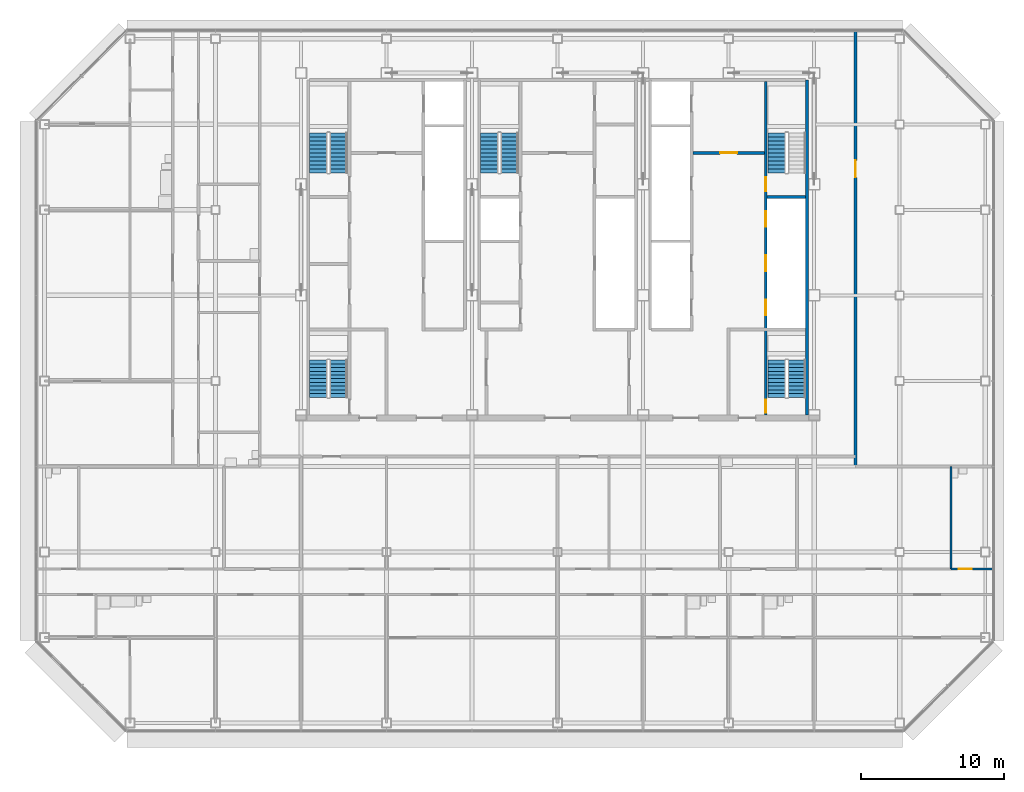
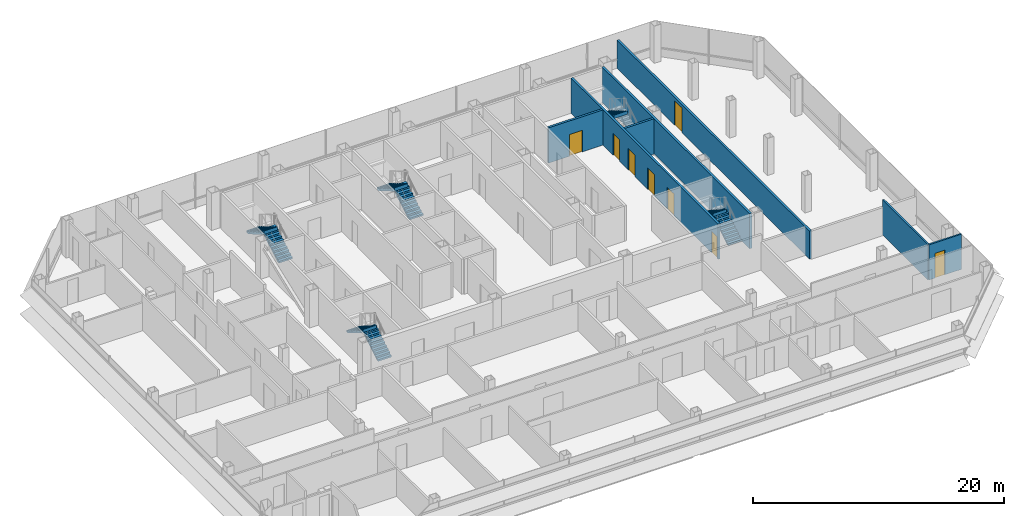
# One storey, part 24 of 27: 9 stair flights, 8 doors, 7 walls, 8 openings, 5 elements without a shape of their own.
"""IFC4 building model written with IfcOpenShell, lengths in metres."""

import ifcopenshell
import ifcopenshell.guid

model = None  # the IFC model being written
_history = None  # IfcOwnerHistory: only IFC2X3 demands one
_inside = {}  # id of a spatial element -> (the spatial element, [elements in it])
_under = {}  # id of a project, library or spatial element -> (it, [spatial elements below it])
_declared = {}  # id of a project -> (the project, [libraries it declares])
_typed = {}  # id of a type object -> (the type object, [elements of that type])
_made_of = {}  # id of a material, layer set ... -> (it, [elements and type objects made of it])


def new_model(schema):
    """Start an empty IFC model of exactly this schema.

    Asked for "IFC4X3", IfcOpenShell would pick the latest addendum, in which some entities
    have other attributes; the version numbers below select the first issue.
    IFC2X3 requires an IfcOwnerHistory on every rooted entity: one is made here for all.
    """
    global model, _history
    if schema == "IFC4X3":
        model = ifcopenshell.file(schema_version=(4, 3, 0, 0))
    else:
        model = ifcopenshell.file(schema=schema)
    _inside.clear()
    _under.clear()
    _declared.clear()
    _typed.clear()
    _made_of.clear()
    _history = None
    if model.schema == "IFC2X3":
        org = make("IfcOrganization", Name="unknown")
        user = make(
            "IfcPersonAndOrganization",
            ThePerson=make("IfcPerson", FamilyName="unknown"),
            TheOrganization=org,
        )
        app = make(
            "IfcApplication",
            ApplicationDeveloper=org,
            Version="unknown",
            ApplicationFullName="unknown",
            ApplicationIdentifier="unknown",
        )
        _history = make(
            "IfcOwnerHistory",
            OwningUser=user,
            OwningApplication=app,
            ChangeAction="ADDED",
            CreationDate=0,
        )
    return model


def make(cls, **values):
    """One entity of the class cls with the attributes given. An attribute that is None is left unset."""
    return model.create_entity(
        cls, **{name: value for name, value in values.items() if value is not None}
    )


def rooted(cls, **values):
    """An entity with a GlobalId (a new one), such as an element, a storey or a relation."""
    return make(cls, GlobalId=ifcopenshell.guid.new(), OwnerHistory=_history, **values)


def si_unit(unit_type, name, prefix=None):
    """IfcSIUnit, for example si_unit("LENGTHUNIT", "METRE", prefix="MILLI")."""
    return make("IfcSIUnit", UnitType=unit_type, Prefix=prefix, Name=name)


def assignment(units):
    """IfcUnitAssignment: the units of a project."""
    return None if units is None else make("IfcUnitAssignment", Units=units)


def point(xyz):
    """IfcCartesianPoint."""
    return None if xyz is None else make("IfcCartesianPoint", Coordinates=xyz)


def direction(xyz):
    """IfcDirection."""
    return None if xyz is None else make("IfcDirection", DirectionRatios=xyz)


def frame(location, z_axis=None, x_axis=None):
    """IfcAxis2Placement3D, a coordinate frame: its origin and axes. An axis left out is left unset."""
    return make(
        "IfcAxis2Placement3D",
        Location=point(location),
        Axis=direction(z_axis),
        RefDirection=direction(x_axis),
    )


def frame_2d(location, x_axis=None):
    """IfcAxis2Placement2D, a coordinate frame in the plane: its origin and x axis."""
    return make(
        "IfcAxis2Placement2D", Location=point(location), RefDirection=direction(x_axis)
    )


def origin():
    """The frame at (0, 0, 0) with its axes left unset."""
    return frame((0.0, 0.0, 0.0))


def place(relative_to, where):
    """IfcLocalPlacement: puts the frame where relative to a parent placement (None: the world)."""
    return make(
        "IfcLocalPlacement", PlacementRelTo=relative_to, RelativePlacement=where
    )


def context(
    kind, dimensions, precision=None, world=None, true_north=None, identifier=None
):
    """IfcGeometricRepresentationContext, for example the 3D "Model" context."""
    return make(
        "IfcGeometricRepresentationContext",
        ContextIdentifier=identifier,
        ContextType=kind,
        CoordinateSpaceDimension=dimensions,
        Precision=precision,
        WorldCoordinateSystem=world,
        TrueNorth=true_north,
    )


def subcontext(parent, identifier, kind, view, scale=None):
    """IfcGeometricRepresentationSubContext, for example "Body" below "Model"."""
    return make(
        "IfcGeometricRepresentationSubContext",
        ContextIdentifier=identifier,
        ContextType=kind,
        ParentContext=parent,
        TargetScale=scale,
        TargetView=view,
    )


def project(units=None, contexts=None):
    """IfcProject with its units and contexts."""
    return rooted(
        "IfcProject",
        Name="project",
        RepresentationContexts=contexts,
        UnitsInContext=assignment(units),
    )


def spatial(cls, under=None, at=None, **own):
    """A site, building, storey or space (cls), placed at a placement, below another one or the project."""
    s = rooted(cls, ObjectPlacement=at, **own)
    if under is not None:
        _under.setdefault(under.id(), (under, []))[1].append(s)
    return s


def polyline(points):
    """IfcPolyline through the points."""
    return make("IfcPolyline", Points=[point(p) for p in points])


def profile(cls, at=None, kind="AREA", **sizes):
    """A parametric profile (cls). Its sizes go by their IFC names, for example OverallWidth=200.0."""
    return make(cls, ProfileType=kind, Position=at, **sizes)


def rectangle(**sizes):
    """IfcRectangleProfileDef."""
    return profile("IfcRectangleProfileDef", **sizes)


def outline(outer, holes=None, kind="AREA"):
    """IfcArbitraryClosedProfileDef: a profile drawn as a closed curve; with holes, ...WithVoids."""
    if holes is None:
        return make("IfcArbitraryClosedProfileDef", ProfileType=kind, OuterCurve=outer)
    return make(
        "IfcArbitraryProfileDefWithVoids",
        ProfileType=kind,
        OuterCurve=outer,
        InnerCurves=holes,
    )


def extrude(swept, where, along, depth):
    """IfcExtrudedAreaSolid: the profile swept, set in the frame where, extruded along a direction by depth."""
    return make(
        "IfcExtrudedAreaSolid",
        SweptArea=swept,
        Position=where,
        ExtrudedDirection=direction(along),
        Depth=depth,
    )


def shape(context_of_items, identifier, shape_type, items):
    """IfcShapeRepresentation: the items that make up one representation, for example the "Body"."""
    return make(
        "IfcShapeRepresentation",
        ContextOfItems=context_of_items,
        RepresentationIdentifier=identifier,
        RepresentationType=shape_type,
        Items=items,
    )


def material(Name=None, Category=None):
    """IfcMaterial."""
    return make("IfcMaterial", Name=Name, Category=Category)


def layer(
    of_material, thickness, ventilated=None, Name=None, Category=None, Priority=None
):
    """IfcMaterialLayer: one layer of a wall or slab, of a material (None: an air gap)."""
    return make(
        "IfcMaterialLayer",
        Material=of_material,
        LayerThickness=thickness,
        IsVentilated=ventilated,
        Name=Name,
        Category=Category,
        Priority=Priority,
    )


def layer_set(layers, Name=None):
    """IfcMaterialLayerSet."""
    return make("IfcMaterialLayerSet", MaterialLayers=layers, LayerSetName=Name)


def made_of(thing, what):
    """Note that an element or type object is made of a material, layer set ...; save() writes the relation."""
    if what is not None:
        _made_of.setdefault(what.id(), (what, []))[1].append(thing)
    return thing


def type_object(cls, material=None, **own):
    """A type object (cls), such as IfcWallType, which elements share."""
    return made_of(rooted(cls, **own), material)


def element(
    cls,
    number,
    at=None,
    inside=None,
    cuts=None,
    type_object=None,
    material=None,
    context=None,
    identifier="Body",
    shape_type=None,
    held_by="IfcProductDefinitionShape",
    body=None,
    shapes=None,
    **own,
):
    """One element of the class cls, such as IfcWall. Its Tag is "e" and its number.

    at: its placement. inside: the storey or other place that contains it. cuts: it is an
    opening in that element (IfcRelVoidsElement). A single representation is given by context,
    identifier, shape_type and body (its items); several are given by shapes. held_by: the class
    of the entity that holds the representations. save() writes the other relations.
    """
    e = rooted(cls, Tag="e%d" % number, ObjectPlacement=at, **own)
    if body is not None:
        shapes = [shape(context, identifier, shape_type, body)]
    if shapes is not None:
        e.Representation = make(held_by, Representations=shapes)
    if inside is not None:
        _inside.setdefault(inside.id(), (inside, []))[1].append(e)
    if cuts is not None:
        rooted(
            "IfcRelVoidsElement", RelatingBuildingElement=cuts, RelatedOpeningElement=e
        )
    if type_object is not None:
        _typed.setdefault(type_object.id(), (type_object, []))[1].append(e)
    return made_of(e, material)


def fill(opening, filler):
    """IfcRelFillsElement: the door or window that sits in an opening."""
    return rooted(
        "IfcRelFillsElement",
        RelatingOpeningElement=opening,
        RelatedBuildingElement=filler,
    )


def aggregate(whole, parts):
    """IfcRelAggregates: a whole, such as a stair, and the parts it consists of."""
    return rooted("IfcRelAggregates", RelatingObject=whole, RelatedObjects=parts)


def save(model, path):
    """Write the relations noted so far, then the file.

    IfcRelAggregates (storeys below a building ...), IfcRelContainedInSpatialStructure (elements
    in a storey), IfcRelDefinesByType, IfcRelAssociatesMaterial and IfcRelDeclares: one each for
    every whole, place, type object, material and project.
    """
    for whole, parts in _under.values():
        aggregate(whole, parts)
    for where, things in _inside.values():
        rooted(
            "IfcRelContainedInSpatialStructure",
            RelatedElements=things,
            RelatingStructure=where,
        )
    for kind, things in _typed.values():
        rooted("IfcRelDefinesByType", RelatedObjects=things, RelatingType=kind)
    for what, things in _made_of.values():
        rooted("IfcRelAssociatesMaterial", RelatedObjects=things, RelatingMaterial=what)
    for by, libraries in _declared.values():
        rooted("IfcRelDeclares", RelatingContext=by, RelatedDefinitions=libraries)
    model.write(path)


model = new_model("IFC4")

# Units and contexts
model_context = context("Model", 3, precision=1e-05, world=origin(), true_north=direction((0.0, 1.0)))
body_context = subcontext(model_context, "Body", "Model", "MODEL_VIEW")
ifc_project = project(units=[si_unit("LENGTHUNIT", "METRE"), si_unit("AREAUNIT", "SQUARE_METRE"), si_unit("VOLUMEUNIT", "CUBIC_METRE"), si_unit("PLANEANGLEUNIT", "RADIAN"), si_unit("MASSUNIT", "GRAM", prefix="KILO")], contexts=[model_context])

# Site, building, storey
site_placement = place(None, origin())
site = spatial("IfcSite", under=ifc_project, at=site_placement, CompositionType="ELEMENT")
building_placement = place(site_placement, origin())
building = spatial("IfcBuilding", under=site, at=building_placement, Name="Sorahane Residences", CompositionType="ELEMENT")
storey_placement = place(building_placement, frame((0.0, 0.0, 239.60009765625)))
storey = spatial("IfcBuildingStorey", under=building, at=storey_placement, Name="L56", CompositionType="ELEMENT", Elevation=239.60009765625)

# Wall
ifc_material_1 = material(Name="Concrete C30", Category="concrete")
ifc_layer_1 = layer(ifc_material_1, 0.199951171875)
ifc_layer_set_1 = layer_set([ifc_layer_1], Name="Core face wall 200 EI 180")
wall_type_1 = type_object("IfcWallType", Name="Core face wall 200 EI 180", PredefinedType="SOLIDWALL", material=ifc_layer_set_1)
wall_1_placement = place(storey_placement, frame((41.5, 21.60009765625, 0.0), z_axis=(0.0, 0.0, 1.0), x_axis=(0.0, 1.0, 0.0)))
element("IfcWall", 1, at=wall_1_placement, inside=storey, type_object=wall_type_1, Name="L56 core face wall", PredefinedType="SOLIDWALL", context=body_context, shape_type="SweptSolid", body=[
    extrude(rectangle(XDim=23.5, YDim=0.199951171875, at=frame_2d((11.75, 0.0))), origin(), (0.0, 0.0, 1.0), 3.419921875),
])

# Wall, opening, door
ifc_material_2 = material(Name="Concrete blockwork C20 wall", Category="masonry")
ifc_layer_2 = layer(ifc_material_2, 0.199951171875)
ifc_layer_set_2 = layer_set([ifc_layer_2], Name="Corridor wall 200 EI 120")
wall_type_2 = type_object("IfcWallType", Name="Corridor wall 200 EI 120", PredefinedType="SOLIDWALL", material=ifc_layer_set_2)
wall_2_placement = place(storey_placement, frame((44.89990234375, 18.0, 0.0), z_axis=(0.0, 0.0, 1.0), x_axis=(0.0, 1.0, 0.0)))
wall_2 = element("IfcWall", 2, at=wall_2_placement, inside=storey, type_object=wall_type_2, Name="L56 corridor wall", PredefinedType="SOLIDWALL", context=body_context, shape_type="SweptSolid", body=[
    extrude(rectangle(XDim=30.60009765625, YDim=0.199951171875, at=frame_2d((15.300048828125, 0.0))), origin(), (0.0, 0.0, 1.0), 2.719970703125),
])
opening_1_placement = place(wall_2_placement, frame((20.27001953125, 0.0, 0.0)))
opening_1 = element("IfcOpeningElement", 3, at=opening_1_placement, cuts=wall_2, Name="Opening L56-43", PredefinedType="OPENING", context=body_context, shape_type="SweptSolid", body=[
    extrude(rectangle(XDim=1.199951171875, YDim=2.39990234375, at=frame_2d((0.60009765625, 1.199951171875))), frame((0.0, 0.10986328125, 0.0), z_axis=(0.0, -1.0, 0.0), x_axis=(1.0, 0.0, 0.0)), (0.0, 0.0, 1.0), 0.219970703125),
])
ifc_material_3 = material(Name="Steel", Category="steel")
door_type_1 = type_object("IfcDoorType", Name="Lobby door 1200x2400 FD60", OperationType="NOTDEFINED", PredefinedType="DOOR", material=ifc_material_3)
door_1_placement = place(opening_1_placement, frame((1.199951171875, 0.0, 0.0), z_axis=(0.0, 0.0, 1.0), x_axis=(-1.0, 0.0, 0.0)))
door_1 = element("IfcDoor", 4, at=door_1_placement, inside=storey, type_object=door_type_1, Name="Lobby door L56-43", OperationType="SINGLE_SWING_RIGHT", OverallHeight=2.39990234375, OverallWidth=1.199951171875, PredefinedType="DOOR", context=body_context, shape_type="SweptSolid", body=[
    extrude(rectangle(XDim=1.199951171875, YDim=2.39990234375, at=frame_2d((0.60009765625, 1.199951171875))), frame((0.0, 0.02490234375, 0.0), z_axis=(0.0, -1.0, 0.0), x_axis=(1.0, 0.0, 0.0)), (0.0, 0.0, 1.0), 0.050048828125),
])
fill(opening_1, door_1)

ifc_material_4 = material(Name="Concrete C30", Category="concrete")
ifc_layer_3 = layer(ifc_material_4, 0.199951171875)
ifc_layer_set_3 = layer_set([ifc_layer_3], Name="Front room wall 200 EI 120")
wall_type_3 = type_object("IfcWallType", Name="Front room wall 200 EI 120", PredefinedType="PARTITIONING", material=ifc_layer_set_3)
wall_3_placement = place(storey_placement, frame((33.5, 40.0, 0.0), z_axis=(0.0, 0.0, 1.0), x_axis=(1.0, 0.0, 0.0)))
wall_3 = element("IfcWall", 5, at=wall_3_placement, inside=storey, type_object=wall_type_3, Name="L56 front room wall", PredefinedType="PARTITIONING", context=body_context, shape_type="SweptSolid", body=[
    extrude(rectangle(XDim=5.0, YDim=0.199951171875, at=frame_2d((2.5, 0.0))), origin(), (0.0, 0.0, 1.0), 3.419921875),
])
opening_2_placement = place(wall_3_placement, frame((1.89990234375, 0.0, 0.0)))
opening_2 = element("IfcOpeningElement", 6, at=opening_2_placement, cuts=wall_3, Name="Opening L56-C10", PredefinedType="OPENING", context=body_context, shape_type="SweptSolid", body=[
    extrude(rectangle(XDim=1.199951171875, YDim=2.10009765625, at=frame_2d((0.60009765625, 1.050048828125))), frame((0.0, 0.10986328125, 0.0), z_axis=(0.0, -1.0, 0.0), x_axis=(1.0, 0.0, 0.0)), (0.0, 0.0, 1.0), 0.219970703125),
])
ifc_material_5 = material(Name="Steel", Category="steel")
door_type_2 = type_object("IfcDoorType", Name="Front room door 1200x2100 FD120", OperationType="NOTDEFINED", PredefinedType="DOOR", material=ifc_material_5)
door_2_placement = place(opening_2_placement, frame((1.199951171875, 0.0, 0.0), z_axis=(0.0, 0.0, 1.0), x_axis=(-1.0, 0.0, 0.0)))
door_2 = element("IfcDoor", 7, at=door_2_placement, inside=storey, type_object=door_type_2, Name="Front room door Firefighting lobby FF2 front room L56", OperationType="DOUBLE_DOOR_SINGLE_SWING", OverallHeight=2.10009765625, OverallWidth=1.199951171875, PredefinedType="DOOR", context=body_context, shape_type="SweptSolid", body=[
    extrude(rectangle(XDim=1.199951171875, YDim=2.10009765625, at=frame_2d((0.60009765625, 1.050048828125))), frame((0.0, 0.02490234375, 0.0), z_axis=(0.0, -1.0, 0.0), x_axis=(1.0, 0.0, 0.0)), (0.0, 0.0, 1.0), 0.050048828125),
])
fill(opening_2, door_2)

# Wall, openings, doors
ifc_material_6 = material(Name="Concrete C30", Category="concrete")
ifc_layer_4 = layer(ifc_material_6, 0.199951171875)
ifc_layer_set_4 = layer_set([ifc_layer_4], Name="Stair enclosure wall 200 EI 120")
wall_type_4 = type_object("IfcWallType", Name="Stair enclosure wall 200 EI 120", PredefinedType="SOLIDWALL", material=ifc_layer_set_4)
wall_4_placement = place(storey_placement, frame((38.60009765625, 21.60009765625, 0.0), z_axis=(0.0, 0.0, 1.0), x_axis=(0.0, 1.0, 0.0)))
wall_4 = element("IfcWall", 8, at=wall_4_placement, inside=storey, type_object=wall_type_4, Name="L56 stair enclosure wall", PredefinedType="SOLIDWALL", context=body_context, shape_type="SweptSolid", body=[
    extrude(rectangle(XDim=23.39990234375, YDim=0.199951171875, at=frame_2d((11.699951171875, 0.0))), origin(), (0.0, 0.0, 1.0), 3.419921875),
])
opening_3_placement = place(wall_4_placement, frame((7.0, 0.0, 0.0)))
opening_3 = element("IfcOpeningElement", 9, at=opening_3_placement, cuts=wall_4, Name="Opening L56-C11", PredefinedType="OPENING", context=body_context, shape_type="SweptSolid", body=[
    extrude(rectangle(XDim=1.10009765625, YDim=2.10009765625, at=frame_2d((0.550048828125, 1.050048828125))), frame((0.0, 0.10986328125, 0.0), z_axis=(0.0, -1.0, 0.0), x_axis=(1.0, 0.0, 0.0)), (0.0, 0.0, 1.0), 0.219970703125),
])
opening_4_placement = place(wall_4_placement, frame((10.10009765625, 0.0, 0.0)))
opening_4 = element("IfcOpeningElement", 10, at=opening_4_placement, cuts=wall_4, Name="Opening L56-C12", PredefinedType="OPENING", context=body_context, shape_type="SweptSolid", body=[
    extrude(rectangle(XDim=1.10009765625, YDim=2.10009765625, at=frame_2d((0.550048828125, 1.050048828125))), frame((0.0, 0.10986328125, 0.0), z_axis=(0.0, -1.0, 0.0), x_axis=(1.0, 0.0, 0.0)), (0.0, 0.0, 1.0), 0.219970703125),
])
opening_5_placement = place(wall_4_placement, frame((13.199951171875, 0.0, 0.0)))
opening_5 = element("IfcOpeningElement", 11, at=opening_5_placement, cuts=wall_4, Name="Opening L56-C13", PredefinedType="OPENING", context=body_context, shape_type="SweptSolid", body=[
    extrude(rectangle(XDim=1.10009765625, YDim=2.10009765625, at=frame_2d((0.550048828125, 1.050048828125))), frame((0.0, 0.10986328125, 0.0), z_axis=(0.0, -1.0, 0.0), x_axis=(1.0, 0.0, 0.0)), (0.0, 0.0, 1.0), 0.219970703125),
])
opening_6_placement = place(wall_4_placement, frame((15.699951171875, 0.0, 0.0)))
opening_6 = element("IfcOpeningElement", 12, at=opening_6_placement, cuts=wall_4, Name="Opening L56-C24", PredefinedType="OPENING", context=body_context, shape_type="SweptSolid", body=[
    extrude(rectangle(XDim=1.0, YDim=2.10009765625, at=frame_2d((0.5, 1.050048828125))), frame((0.0, 0.10986328125, 0.0), z_axis=(0.0, -1.0, 0.0), x_axis=(1.0, 0.0, 0.0)), (0.0, 0.0, 1.0), 0.219970703125),
])
opening_7_placement = place(wall_4_placement, frame((0.175048828125, 0.0, 0.0)))
opening_7 = element("IfcOpeningElement", 13, at=opening_7_placement, cuts=wall_4, Name="Opening L56-C27", PredefinedType="OPENING", context=body_context, shape_type="SweptSolid", body=[
    extrude(rectangle(XDim=0.89990234375, YDim=2.10009765625, at=frame_2d((0.449951171875, 1.050048828125))), frame((0.0, 0.10986328125, 0.0), z_axis=(0.0, -1.0, 0.0), x_axis=(1.0, 0.0, 0.0)), (0.0, 0.0, 1.0), 0.219970703125),
])
ifc_material_7 = material(Name="Aluminium and stainless steel", Category="steel")
door_type_3 = type_object("IfcDoorType", Name="Lift landing door 1100x2100 E 60", OperationType="NOTDEFINED", PredefinedType="DOOR", material=ifc_material_7)
door_3_placement = place(opening_3_placement, origin())
door_3 = element("IfcDoor", 14, at=door_3_placement, inside=storey, type_object=door_type_3, Name="Lift landing door HR1 L56", OperationType="DOUBLE_DOOR_SLIDING", OverallHeight=2.10009765625, OverallWidth=1.10009765625, PredefinedType="DOOR", context=body_context, shape_type="SweptSolid", body=[
    extrude(rectangle(XDim=1.10009765625, YDim=2.10009765625, at=frame_2d((0.550048828125, 1.050048828125))), frame((0.0, 0.02490234375, 0.0), z_axis=(0.0, -1.0, 0.0), x_axis=(1.0, 0.0, 0.0)), (0.0, 0.0, 1.0), 0.050048828125),
])
fill(opening_3, door_3)
door_4_placement = place(opening_4_placement, origin())
door_4 = element("IfcDoor", 15, at=door_4_placement, inside=storey, type_object=door_type_3, Name="Lift landing door HR2 L56", OperationType="DOUBLE_DOOR_SLIDING", OverallHeight=2.10009765625, OverallWidth=1.10009765625, PredefinedType="DOOR", context=body_context, shape_type="SweptSolid", body=[
    extrude(rectangle(XDim=1.10009765625, YDim=2.10009765625, at=frame_2d((0.550048828125, 1.050048828125))), frame((0.0, 0.02490234375, 0.0), z_axis=(0.0, -1.0, 0.0), x_axis=(1.0, 0.0, 0.0)), (0.0, 0.0, 1.0), 0.050048828125),
])
fill(opening_4, door_4)
door_5_placement = place(opening_5_placement, origin())
door_5 = element("IfcDoor", 16, at=door_5_placement, inside=storey, type_object=door_type_3, Name="Lift landing door HR3 L56", OperationType="DOUBLE_DOOR_SLIDING", OverallHeight=2.10009765625, OverallWidth=1.10009765625, PredefinedType="DOOR", context=body_context, shape_type="SweptSolid", body=[
    extrude(rectangle(XDim=1.10009765625, YDim=2.10009765625, at=frame_2d((0.550048828125, 1.050048828125))), frame((0.0, 0.02490234375, 0.0), z_axis=(0.0, -1.0, 0.0), x_axis=(1.0, 0.0, 0.0)), (0.0, 0.0, 1.0), 0.050048828125),
])
fill(opening_5, door_5)
ifc_material_8 = material(Name="Steel", Category="steel")
door_type_4 = type_object("IfcDoorType", Name="Stair door 1000x2100 FD120", OperationType="NOTDEFINED", PredefinedType="DOOR", material=ifc_material_8)
door_6_placement = place(opening_6_placement, frame((1.0, 0.0, 0.0), z_axis=(0.0, 0.0, 1.0), x_axis=(-1.0, 0.0, 0.0)))
door_6 = element("IfcDoor", 17, at=door_6_placement, inside=storey, type_object=door_type_4, Name="Stair door S2 L56", OperationType="SINGLE_SWING_LEFT", OverallHeight=2.10009765625, OverallWidth=1.0, PredefinedType="DOOR", context=body_context, shape_type="SweptSolid", body=[
    extrude(rectangle(XDim=1.0, YDim=2.10009765625, at=frame_2d((0.5, 1.050048828125))), frame((0.0, 0.02490234375, 0.0), z_axis=(0.0, -1.0, 0.0), x_axis=(1.0, 0.0, 0.0)), (0.0, 0.0, 1.0), 0.050048828125),
])
fill(opening_6, door_6)
ifc_material_9 = material(Name="Steel", Category="steel")
door_type_5 = type_object("IfcDoorType", Name="Stair door 900x2100 FD120", OperationType="NOTDEFINED", PredefinedType="DOOR", material=ifc_material_9)
door_7_placement = place(opening_7_placement, frame((0.89990234375, 0.0, 0.0), z_axis=(0.0, 0.0, 1.0), x_axis=(-1.0, 0.0, 0.0)))
door_7 = element("IfcDoor", 18, at=door_7_placement, inside=storey, type_object=door_type_5, Name="Stair door S5 L56", OperationType="SINGLE_SWING_LEFT", OverallHeight=2.10009765625, OverallWidth=0.89990234375, PredefinedType="DOOR", context=body_context, shape_type="SweptSolid", body=[
    extrude(rectangle(XDim=0.89990234375, YDim=2.10009765625, at=frame_2d((0.449951171875, 1.050048828125))), frame((0.0, 0.02490234375, 0.0), z_axis=(0.0, -1.0, 0.0), x_axis=(1.0, 0.0, 0.0)), (0.0, 0.0, 1.0), 0.050048828125),
])
fill(opening_7, door_7)

# Walls
wall_5_placement = place(storey_placement, frame((38.699951171875, 36.89990234375, 0.0), z_axis=(0.0, 0.0, 1.0), x_axis=(1.0, 0.0, 0.0)))
element("IfcWall", 19, at=wall_5_placement, inside=storey, type_object=wall_type_4, Name="L56 stair enclosure wall", PredefinedType="SOLIDWALL", context=body_context, shape_type="SweptSolid", body=[
    extrude(rectangle(XDim=2.699951171875, YDim=0.199951171875, at=frame_2d((1.35009765625, 0.0))), origin(), (0.0, 0.0, 1.0), 3.419921875),
])
ifc_material_10 = material(Name="Gypsum board partition on steel studs", Category="steel")
ifc_layer_5 = layer(ifc_material_10, 0.14990234375)
ifc_layer_set_5 = layer_set([ifc_layer_5], Name="Wet wall 150 EI 90")
wall_type_5 = type_object("IfcWallType", Name="Wet wall 150 EI 90", PredefinedType="PARTITIONING", material=ifc_layer_set_5)
wall_6_placement = place(storey_placement, frame((51.60009765625, 10.800048828125, 0.0), z_axis=(0.0, 0.0, 1.0), x_axis=(0.0, 1.0, 0.0)))
element("IfcWall", 20, at=wall_6_placement, inside=storey, type_object=wall_type_5, Name="L56 wet wall", PredefinedType="PARTITIONING", context=body_context, shape_type="SweptSolid", body=[
    extrude(rectangle(XDim=7.199951171875, YDim=0.14990234375, at=frame_2d((3.60009765625, 0.0))), origin(), (0.0, 0.0, 1.0), 3.419921875),
])

# Wall, opening, door
wall_7_placement = place(storey_placement, frame((51.60009765625, 10.800048828125, 0.0), z_axis=(0.0, 0.0, 1.0), x_axis=(1.0, 0.0, 0.0)))
wall_7 = element("IfcWall", 21, at=wall_7_placement, inside=storey, type_object=wall_type_5, Name="L56 wet wall", PredefinedType="PARTITIONING", context=body_context, shape_type="SweptSolid", body=[
    extrude(rectangle(XDim=3.0, YDim=0.14990234375, at=frame_2d((1.5, 0.0))), origin(), (0.0, 0.0, 1.0), 3.419921875),
])
opening_8_placement = place(wall_7_placement, frame((0.550048828125, 0.0, 0.0)))
opening_8 = element("IfcOpeningElement", 22, at=opening_8_placement, cuts=wall_7, Name="Opening L56-18", PredefinedType="OPENING", context=body_context, shape_type="SweptSolid", body=[
    extrude(rectangle(XDim=0.89990234375, YDim=2.39990234375, at=frame_2d((0.449951171875, 1.199951171875))), frame((0.0, 0.0849609375, 0.0), z_axis=(0.0, -1.0, 0.0), x_axis=(1.0, 0.0, 0.0)), (0.0, 0.0, 1.0), 0.169921875),
])
ifc_material_11 = material(Name="Timber veneered fire door", Category="wood")
door_type_6 = type_object("IfcDoorType", Name="Bathroom door 900x2400 FD30", OperationType="NOTDEFINED", PredefinedType="DOOR", material=ifc_material_11)
door_8_placement = place(opening_8_placement, frame((0.89990234375, 0.0, 0.0), z_axis=(0.0, 0.0, 1.0), x_axis=(-1.0, 0.0, 0.0)))
door_8 = element("IfcDoor", 23, at=door_8_placement, inside=storey, type_object=door_type_6, Name="Bathroom door L56-18", OperationType="SINGLE_SWING_RIGHT", OverallHeight=2.39990234375, OverallWidth=0.89990234375, PredefinedType="DOOR", context=body_context, shape_type="SweptSolid", body=[
    extrude(rectangle(XDim=0.89990234375, YDim=2.39990234375, at=frame_2d((0.449951171875, 1.199951171875))), frame((0.0, 0.02490234375, 0.0), z_axis=(0.0, -1.0, 0.0), x_axis=(1.0, 0.0, 0.0)), (0.0, 0.0, 1.0), 0.050048828125),
])
fill(opening_8, door_8)

# Stair, stair flights
ifc_material_12 = material(Name="Concrete C40", Category="concrete")
stair_type = type_object("IfcStairType", Name="Dog-leg stair 1250 Concrete C40", PredefinedType="HALF_TURN_STAIR", material=ifc_material_12)
stair_1_placement = place(storey_placement, origin())
stair_1 = element("IfcStair", 24, at=stair_1_placement, inside=storey, type_object=stair_type, Name="L56 Stair S1", PredefinedType="HALF_TURN_STAIR")
ifc_material_13 = material(Name="Concrete C40", Category="concrete")
stair_flight_type = type_object("IfcStairFlightType", Name="Stair flight 1250 Concrete C40", PredefinedType="STRAIGHT", material=ifc_material_13)
stair_flight_1_placement = place(storey_placement, frame((8.625, 38.60009765625, 0.0), z_axis=(0.0, 0.0, 1.0), x_axis=(0.0, 1.0, 0.0)))
stair_flight_1 = element("IfcStairFlight", 25, at=stair_flight_1_placement, type_object=stair_flight_type, Name="S1 flight 1", NumberOfRisers=11, NumberOfTreads=10, PredefinedType="STRAIGHT", RiserHeight=0.163636364, TreadLength=0.28, context=body_context, shape_type="SweptSolid", body=[
    extrude(outline(polyline([(-0.00146484375, 0.0), (-0.00146484375, 0.16357421875), (0.0, 0.16357421875), (0.280029296875, 0.16357421875), (0.280029296875, 0.327392578125), (0.56005859375, 0.327392578125), (0.56005859375, 0.490966796875), (0.840087890625, 0.490966796875), (0.840087890625, 0.654541015625), (1.1201171875, 0.654541015625), (1.1201171875, 0.818115234375), (1.39990234375, 0.818115234375), (1.39990234375, 0.98193359375), (1.679931640625, 0.98193359375), (1.679931640625, 1.1455078125), (1.9599609375, 1.1455078125), (1.9599609375, 1.30908203125), (2.239990234375, 1.30908203125), (2.239990234375, 1.47265625), (2.52001953125, 1.47265625), (2.52001953125, 1.636474609375), (2.800048828125, 1.636474609375), (2.800048828125, 1.800048828125), (2.800048828125, 1.462646484375), (2.59130859375, 1.3408203125), (2.3828125, 1.218994140625), (2.17431640625, 1.09716796875), (1.965576171875, 0.97509765625), (1.757080078125, 0.853271484375), (1.548583984375, 0.7314453125), (1.340087890625, 0.609375), (1.13134765625, 0.487548828125), (0.9228515625, 0.36572265625), (0.71435546875, 0.243896484375), (0.505615234375, 0.121826171875), (0.297119140625, 0.0), (-0.00146484375, 0.0)])), frame((0.0, 0.625, 0.0), z_axis=(0.0, -1.0, 0.0), x_axis=(1.0, 0.0, 0.0)), (0.0, 0.0, 1.0), 1.25),
])
stair_flight_2_placement = place(storey_placement, frame((7.22509765625, 41.39990234375, 1.7998046875), z_axis=(0.0, 0.0, 1.0), x_axis=(0.0, -1.0, 0.0)))
stair_flight_2 = element("IfcStairFlight", 26, at=stair_flight_2_placement, type_object=stair_flight_type, Name="S1 flight 2", NumberOfRisers=11, NumberOfTreads=10, PredefinedType="STRAIGHT", RiserHeight=0.163636364, TreadLength=0.28, context=body_context, shape_type="SweptSolid", body=[
    extrude(outline(polyline([(0.0, 0.0), (0.0, 0.16357421875), (0.280029296875, 0.16357421875), (0.280029296875, 0.327392578125), (0.56005859375, 0.327392578125), (0.56005859375, 0.490966796875), (0.840087890625, 0.490966796875), (0.840087890625, 0.654541015625), (1.1201171875, 0.654541015625), (1.1201171875, 0.818115234375), (1.39990234375, 0.818115234375), (1.39990234375, 0.98193359375), (1.679931640625, 0.98193359375), (1.679931640625, 1.1455078125), (1.9599609375, 1.1455078125), (1.9599609375, 1.30908203125), (2.239990234375, 1.30908203125), (2.239990234375, 1.47265625), (2.52001953125, 1.47265625), (2.52001953125, 1.636474609375), (2.800048828125, 1.636474609375), (2.800048828125, 1.800048828125), (2.801513671875, 1.800048828125), (2.801513671875, 1.462646484375), (2.5927734375, 1.3408203125), (2.384033203125, 1.218994140625), (2.17529296875, 1.09716796875), (1.966796875, 0.97509765625), (1.758056640625, 0.853271484375), (1.54931640625, 0.7314453125), (1.340576171875, 0.609375), (1.1318359375, 0.487548828125), (0.923095703125, 0.36572265625), (0.714599609375, 0.243896484375), (0.505859375, 0.121826171875), (0.297119140625, 0.0), (0.0, 0.0)])), frame((0.0, 0.625, 0.0), z_axis=(0.0, -1.0, 0.0), x_axis=(1.0, 0.0, 0.0)), (0.0, 0.0, 1.0), 1.25),
])
aggregate(stair_1, [stair_flight_1, stair_flight_2])

# Stair, stair flight
stair_2_placement = place(storey_placement, origin())
stair_2 = element("IfcStair", 27, at=stair_2_placement, inside=storey, type_object=stair_type, Name="L56 Stair S2", PredefinedType="HALF_TURN_STAIR")
stair_flight_3_placement = place(storey_placement, frame((39.375, 41.39990234375, 1.7998046875), z_axis=(0.0, 0.0, 1.0), x_axis=(0.0, -1.0, 0.0)))
stair_flight_3 = element("IfcStairFlight", 28, at=stair_flight_3_placement, type_object=stair_flight_type, Name="S2 flight 2", NumberOfRisers=11, NumberOfTreads=10, PredefinedType="STRAIGHT", RiserHeight=0.163636364, TreadLength=0.28, context=body_context, shape_type="SweptSolid", body=[
    extrude(outline(polyline([(0.0, 0.0), (0.0, 0.16357421875), (0.280029296875, 0.16357421875), (0.280029296875, 0.327392578125), (0.56005859375, 0.327392578125), (0.56005859375, 0.490966796875), (0.840087890625, 0.490966796875), (0.840087890625, 0.654541015625), (1.1201171875, 0.654541015625), (1.1201171875, 0.818115234375), (1.39990234375, 0.818115234375), (1.39990234375, 0.98193359375), (1.679931640625, 0.98193359375), (1.679931640625, 1.1455078125), (1.9599609375, 1.1455078125), (1.9599609375, 1.30908203125), (2.239990234375, 1.30908203125), (2.239990234375, 1.47265625), (2.52001953125, 1.47265625), (2.52001953125, 1.636474609375), (2.800048828125, 1.636474609375), (2.800048828125, 1.800048828125), (2.801513671875, 1.800048828125), (2.801513671875, 1.462646484375), (2.5927734375, 1.3408203125), (2.384033203125, 1.218994140625), (2.17529296875, 1.09716796875), (1.966796875, 0.97509765625), (1.758056640625, 0.853271484375), (1.54931640625, 0.7314453125), (1.340576171875, 0.609375), (1.1318359375, 0.487548828125), (0.923095703125, 0.36572265625), (0.714599609375, 0.243896484375), (0.505859375, 0.121826171875), (0.297119140625, 0.0), (0.0, 0.0)])), frame((0.0, 0.625, 0.0), z_axis=(0.0, -1.0, 0.0), x_axis=(1.0, 0.0, 0.0)), (0.0, 0.0, 1.0), 1.25),
])
aggregate(stair_2, [stair_flight_3])

# Stair, stair flights
stair_3_placement = place(storey_placement, origin())
stair_3 = element("IfcStair", 29, at=stair_3_placement, inside=storey, type_object=stair_type, Name="L56 Stair S3", PredefinedType="HALF_TURN_STAIR")
stair_flight_4_placement = place(storey_placement, frame((20.625, 38.60009765625, 0.0), z_axis=(0.0, 0.0, 1.0), x_axis=(0.0, 1.0, 0.0)))
stair_flight_4 = element("IfcStairFlight", 30, at=stair_flight_4_placement, type_object=stair_flight_type, Name="S3 flight 1", NumberOfRisers=11, NumberOfTreads=10, PredefinedType="STRAIGHT", RiserHeight=0.163636364, TreadLength=0.28, context=body_context, shape_type="SweptSolid", body=[
    extrude(outline(polyline([(-0.00146484375, 0.0), (-0.00146484375, 0.16357421875), (0.0, 0.16357421875), (0.280029296875, 0.16357421875), (0.280029296875, 0.327392578125), (0.56005859375, 0.327392578125), (0.56005859375, 0.490966796875), (0.840087890625, 0.490966796875), (0.840087890625, 0.654541015625), (1.1201171875, 0.654541015625), (1.1201171875, 0.818115234375), (1.39990234375, 0.818115234375), (1.39990234375, 0.98193359375), (1.679931640625, 0.98193359375), (1.679931640625, 1.1455078125), (1.9599609375, 1.1455078125), (1.9599609375, 1.30908203125), (2.239990234375, 1.30908203125), (2.239990234375, 1.47265625), (2.52001953125, 1.47265625), (2.52001953125, 1.636474609375), (2.800048828125, 1.636474609375), (2.800048828125, 1.800048828125), (2.800048828125, 1.462646484375), (2.59130859375, 1.3408203125), (2.3828125, 1.218994140625), (2.17431640625, 1.09716796875), (1.965576171875, 0.97509765625), (1.757080078125, 0.853271484375), (1.548583984375, 0.7314453125), (1.340087890625, 0.609375), (1.13134765625, 0.487548828125), (0.9228515625, 0.36572265625), (0.71435546875, 0.243896484375), (0.505615234375, 0.121826171875), (0.297119140625, 0.0), (-0.00146484375, 0.0)])), frame((0.0, 0.625, 0.0), z_axis=(0.0, -1.0, 0.0), x_axis=(1.0, 0.0, 0.0)), (0.0, 0.0, 1.0), 1.25),
])
stair_flight_5_placement = place(storey_placement, frame((19.22509765625, 41.39990234375, 1.7998046875), z_axis=(0.0, 0.0, 1.0), x_axis=(0.0, -1.0, 0.0)))
stair_flight_5 = element("IfcStairFlight", 31, at=stair_flight_5_placement, type_object=stair_flight_type, Name="S3 flight 2", NumberOfRisers=11, NumberOfTreads=10, PredefinedType="STRAIGHT", RiserHeight=0.163636364, TreadLength=0.28, context=body_context, shape_type="SweptSolid", body=[
    extrude(outline(polyline([(0.0, 0.0), (0.0, 0.16357421875), (0.280029296875, 0.16357421875), (0.280029296875, 0.327392578125), (0.56005859375, 0.327392578125), (0.56005859375, 0.490966796875), (0.840087890625, 0.490966796875), (0.840087890625, 0.654541015625), (1.1201171875, 0.654541015625), (1.1201171875, 0.818115234375), (1.39990234375, 0.818115234375), (1.39990234375, 0.98193359375), (1.679931640625, 0.98193359375), (1.679931640625, 1.1455078125), (1.9599609375, 1.1455078125), (1.9599609375, 1.30908203125), (2.239990234375, 1.30908203125), (2.239990234375, 1.47265625), (2.52001953125, 1.47265625), (2.52001953125, 1.636474609375), (2.800048828125, 1.636474609375), (2.800048828125, 1.800048828125), (2.801513671875, 1.800048828125), (2.801513671875, 1.462646484375), (2.5927734375, 1.3408203125), (2.384033203125, 1.218994140625), (2.17529296875, 1.09716796875), (1.966796875, 0.97509765625), (1.758056640625, 0.853271484375), (1.54931640625, 0.7314453125), (1.340576171875, 0.609375), (1.1318359375, 0.487548828125), (0.923095703125, 0.36572265625), (0.714599609375, 0.243896484375), (0.505859375, 0.121826171875), (0.297119140625, 0.0), (0.0, 0.0)])), frame((0.0, 0.625, 0.0), z_axis=(0.0, -1.0, 0.0), x_axis=(1.0, 0.0, 0.0)), (0.0, 0.0, 1.0), 1.25),
])
aggregate(stair_3, [stair_flight_4, stair_flight_5])

stair_4_placement = place(storey_placement, origin())
stair_4 = element("IfcStair", 32, at=stair_4_placement, inside=storey, type_object=stair_type, Name="L56 Stair S4", PredefinedType="HALF_TURN_STAIR")
stair_flight_6_placement = place(storey_placement, frame((8.625, 22.85009765625, 0.0), z_axis=(0.0, 0.0, 1.0), x_axis=(0.0, 1.0, 0.0)))
stair_flight_6 = element("IfcStairFlight", 33, at=stair_flight_6_placement, type_object=stair_flight_type, Name="S4 flight 1", NumberOfRisers=11, NumberOfTreads=10, PredefinedType="STRAIGHT", RiserHeight=0.163636364, TreadLength=0.26, context=body_context, shape_type="SweptSolid", body=[
    extrude(outline(polyline([(-0.00146484375, 0.0), (-0.00146484375, 0.16357421875), (0.0, 0.16357421875), (0.260009765625, 0.16357421875), (0.260009765625, 0.327392578125), (0.52001953125, 0.327392578125), (0.52001953125, 0.490966796875), (0.780029296875, 0.490966796875), (0.780029296875, 0.654541015625), (1.0400390625, 0.654541015625), (1.0400390625, 0.818115234375), (1.300048828125, 0.818115234375), (1.300048828125, 0.98193359375), (1.56005859375, 0.98193359375), (1.56005859375, 1.1455078125), (1.820068359375, 1.1455078125), (1.820068359375, 1.30908203125), (2.080078125, 1.30908203125), (2.080078125, 1.47265625), (2.340087890625, 1.47265625), (2.340087890625, 1.636474609375), (2.60009765625, 1.636474609375), (2.60009765625, 1.800048828125), (2.60009765625, 1.494384765625), (2.402099609375, 1.369873046875), (2.204345703125, 1.245361328125), (2.00634765625, 1.120849609375), (1.80859375, 0.996337890625), (1.610595703125, 0.871826171875), (1.412841796875, 0.747314453125), (1.21484375, 0.622802734375), (1.01708984375, 0.498046875), (0.819091796875, 0.37353515625), (0.621337890625, 0.2490234375), (0.42333984375, 0.12451171875), (0.2255859375, 0.0), (-0.00146484375, 0.0)])), frame((0.0, 0.625, 0.0), z_axis=(0.0, -1.0, 0.0), x_axis=(1.0, 0.0, 0.0)), (0.0, 0.0, 1.0), 1.25),
])
stair_flight_7_placement = place(storey_placement, frame((7.22509765625, 25.449951171875, 1.7998046875), z_axis=(0.0, 0.0, 1.0), x_axis=(0.0, -1.0, 0.0)))
stair_flight_7 = element("IfcStairFlight", 34, at=stair_flight_7_placement, type_object=stair_flight_type, Name="S4 flight 2", NumberOfRisers=11, NumberOfTreads=10, PredefinedType="STRAIGHT", RiserHeight=0.163636364, TreadLength=0.26, context=body_context, shape_type="SweptSolid", body=[
    extrude(outline(polyline([(0.0, 0.0), (0.0, 0.16357421875), (0.260009765625, 0.16357421875), (0.260009765625, 0.327392578125), (0.52001953125, 0.327392578125), (0.52001953125, 0.490966796875), (0.780029296875, 0.490966796875), (0.780029296875, 0.654541015625), (1.0400390625, 0.654541015625), (1.0400390625, 0.818115234375), (1.300048828125, 0.818115234375), (1.300048828125, 0.98193359375), (1.56005859375, 0.98193359375), (1.56005859375, 1.1455078125), (1.820068359375, 1.1455078125), (1.820068359375, 1.30908203125), (2.080078125, 1.30908203125), (2.080078125, 1.47265625), (2.340087890625, 1.47265625), (2.340087890625, 1.636474609375), (2.60009765625, 1.636474609375), (2.60009765625, 1.800048828125), (2.6015625, 1.800048828125), (2.6015625, 1.494384765625), (2.403564453125, 1.369873046875), (2.20556640625, 1.245361328125), (2.007568359375, 1.120849609375), (1.8095703125, 0.996337890625), (1.611572265625, 0.871826171875), (1.41357421875, 0.747314453125), (1.215576171875, 0.622802734375), (1.017578125, 0.498046875), (0.819580078125, 0.37353515625), (0.62158203125, 0.2490234375), (0.423583984375, 0.12451171875), (0.2255859375, 0.0), (0.0, 0.0)])), frame((0.0, 0.625, 0.0), z_axis=(0.0, -1.0, 0.0), x_axis=(1.0, 0.0, 0.0)), (0.0, 0.0, 1.0), 1.25),
])
aggregate(stair_4, [stair_flight_6, stair_flight_7])

stair_5_placement = place(storey_placement, origin())
stair_5 = element("IfcStair", 35, at=stair_5_placement, inside=storey, type_object=stair_type, Name="L56 Stair S5", PredefinedType="HALF_TURN_STAIR")
stair_flight_8_placement = place(storey_placement, frame((40.77490234375, 22.85009765625, 0.0), z_axis=(0.0, 0.0, 1.0), x_axis=(0.0, 1.0, 0.0)))
stair_flight_8 = element("IfcStairFlight", 36, at=stair_flight_8_placement, type_object=stair_flight_type, Name="S5 flight 1", NumberOfRisers=11, NumberOfTreads=10, PredefinedType="STRAIGHT", RiserHeight=0.163636364, TreadLength=0.26, context=body_context, shape_type="SweptSolid", body=[
    extrude(outline(polyline([(-0.00146484375, 0.0), (-0.00146484375, 0.16357421875), (0.0, 0.16357421875), (0.260009765625, 0.16357421875), (0.260009765625, 0.327392578125), (0.52001953125, 0.327392578125), (0.52001953125, 0.490966796875), (0.780029296875, 0.490966796875), (0.780029296875, 0.654541015625), (1.0400390625, 0.654541015625), (1.0400390625, 0.818115234375), (1.300048828125, 0.818115234375), (1.300048828125, 0.98193359375), (1.56005859375, 0.98193359375), (1.56005859375, 1.1455078125), (1.820068359375, 1.1455078125), (1.820068359375, 1.30908203125), (2.080078125, 1.30908203125), (2.080078125, 1.47265625), (2.340087890625, 1.47265625), (2.340087890625, 1.636474609375), (2.60009765625, 1.636474609375), (2.60009765625, 1.800048828125), (2.60009765625, 1.494384765625), (2.402099609375, 1.369873046875), (2.204345703125, 1.245361328125), (2.00634765625, 1.120849609375), (1.80859375, 0.996337890625), (1.610595703125, 0.871826171875), (1.412841796875, 0.747314453125), (1.21484375, 0.622802734375), (1.01708984375, 0.498046875), (0.819091796875, 0.37353515625), (0.621337890625, 0.2490234375), (0.42333984375, 0.12451171875), (0.2255859375, 0.0), (-0.00146484375, 0.0)])), frame((0.0, 0.625, 0.0), z_axis=(0.0, -1.0, 0.0), x_axis=(1.0, 0.0, 0.0)), (0.0, 0.0, 1.0), 1.25),
])
stair_flight_9_placement = place(storey_placement, frame((39.375, 25.449951171875, 1.7998046875), z_axis=(0.0, 0.0, 1.0), x_axis=(0.0, -1.0, 0.0)))
stair_flight_9 = element("IfcStairFlight", 37, at=stair_flight_9_placement, type_object=stair_flight_type, Name="S5 flight 2", NumberOfRisers=11, NumberOfTreads=10, PredefinedType="STRAIGHT", RiserHeight=0.163636364, TreadLength=0.26, context=body_context, shape_type="SweptSolid", body=[
    extrude(outline(polyline([(0.0, 0.0), (0.0, 0.16357421875), (0.260009765625, 0.16357421875), (0.260009765625, 0.327392578125), (0.52001953125, 0.327392578125), (0.52001953125, 0.490966796875), (0.780029296875, 0.490966796875), (0.780029296875, 0.654541015625), (1.0400390625, 0.654541015625), (1.0400390625, 0.818115234375), (1.300048828125, 0.818115234375), (1.300048828125, 0.98193359375), (1.56005859375, 0.98193359375), (1.56005859375, 1.1455078125), (1.820068359375, 1.1455078125), (1.820068359375, 1.30908203125), (2.080078125, 1.30908203125), (2.080078125, 1.47265625), (2.340087890625, 1.47265625), (2.340087890625, 1.636474609375), (2.60009765625, 1.636474609375), (2.60009765625, 1.800048828125), (2.6015625, 1.800048828125), (2.6015625, 1.494384765625), (2.403564453125, 1.369873046875), (2.20556640625, 1.245361328125), (2.007568359375, 1.120849609375), (1.8095703125, 0.996337890625), (1.611572265625, 0.871826171875), (1.41357421875, 0.747314453125), (1.215576171875, 0.622802734375), (1.017578125, 0.498046875), (0.819580078125, 0.37353515625), (0.62158203125, 0.2490234375), (0.423583984375, 0.12451171875), (0.2255859375, 0.0), (0.0, 0.0)])), frame((0.0, 0.625, 0.0), z_axis=(0.0, -1.0, 0.0), x_axis=(1.0, 0.0, 0.0)), (0.0, 0.0, 1.0), 1.25),
])
aggregate(stair_5, [stair_flight_8, stair_flight_9])

save(model, "model.ifc")
